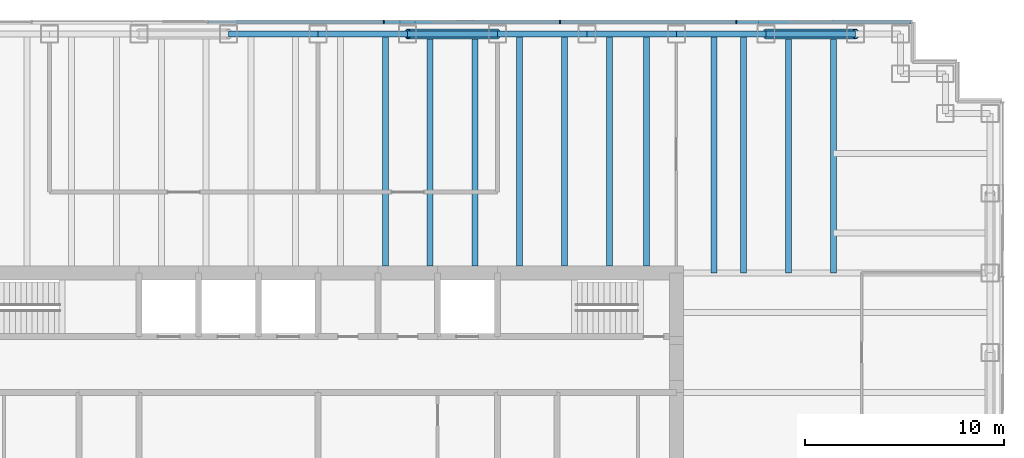
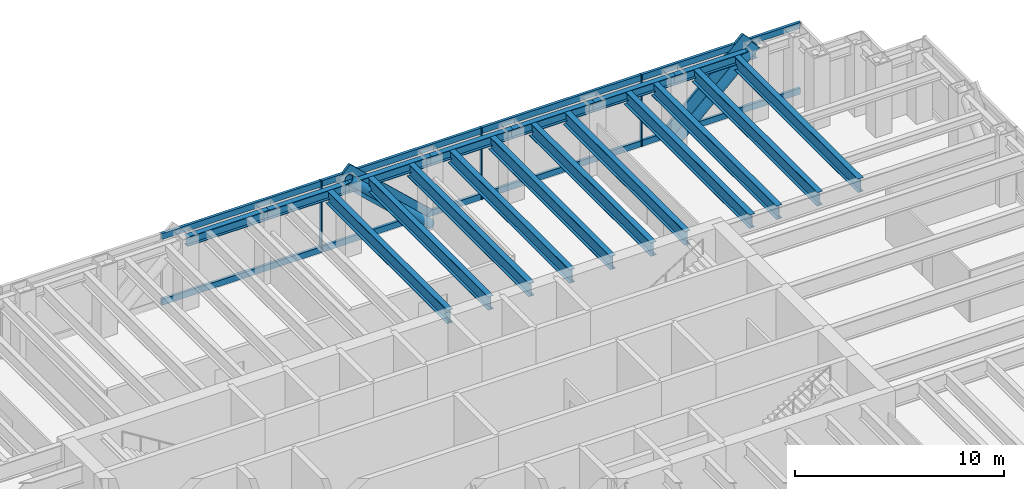
# One storey, part 7 of 15: 18 beams, 15 members, 1 element without a shape of its own.
"""IFC4 building model written with IfcOpenShell, lengths in metres."""

from ifc_helpers import new_model, si_unit, direction, frame, origin, origin_2d, place, context, subcontext, project, spatial, rectangle, hollow_circle, i_section, extrude, material, material_profile, profile_set, type_object, element, aggregate, save


model = new_model("IFC4")

# Units and contexts
model_context = context("Model", 3, precision=1e-05, world=origin(), true_north=direction((0.0, 1.0)))
body_context = subcontext(model_context, "Body", "Model", "MODEL_VIEW")
ifc_project = project(units=[si_unit("LENGTHUNIT", "METRE"), si_unit("AREAUNIT", "SQUARE_METRE"), si_unit("VOLUMEUNIT", "CUBIC_METRE"), si_unit("PLANEANGLEUNIT", "RADIAN"), si_unit("MASSUNIT", "GRAM", prefix="KILO")], contexts=[model_context])

# Site, building, storey
site_placement = place(None, origin())
site = spatial("IfcSite", under=ifc_project, at=site_placement, CompositionType="ELEMENT")
building_placement = place(site_placement, origin())
building = spatial("IfcBuilding", under=site, at=building_placement, Name="Rheinbord Bourse Tower", CompositionType="ELEMENT")
storey_placement = place(building_placement, frame((0.0, 0.0, 325.699951171875)))
storey = spatial("IfcBuildingStorey", under=building, at=storey_placement, Name="L74", CompositionType="ELEMENT", Elevation=325.699951171875)

# Curtain wall, members
ifc_material_1 = material(Name="Dark glass and black aluminium", Category="aluminium")
curtain_wall_type = type_object("IfcCurtainWallType", Name="CW3 DARK GLASS CURTAIN WALL", PredefinedType="USERDEFINED", material=ifc_material_1)
curtain_wall_placement = place(storey_placement, origin())
curtain_wall = element("IfcCurtainWall", 1, at=curtain_wall_placement, inside=storey, type_object=curtain_wall_type, Name="Curtain wall CW3 N L74", ObjectType="UNITISED CURTAIN WALL", PredefinedType="USERDEFINED")
ifc_material_2 = material(Name="Black anodised aluminium", Category="aluminium")
ifc_material_profile_1 = material_profile(ifc_material_2, rectangle(XDim=0.14990234375, YDim=1.10791015625, at=origin_2d()), Name="CW3 DIAGONAL MULLION 1108x150")
ifc_profile_set_1 = profile_set([ifc_material_profile_1], Name="Black anodised aluminium")
member_type_1 = type_object("IfcMemberType", Name="CW3 BLACK DIAGONAL MULLION", PredefinedType="USERDEFINED", material=ifc_profile_set_1)
member_1_placement = place(storey_placement, frame((45.0, 44.60009765625, 0.0), z_axis=(-0.73105922506, 0.0, 0.682314010889), x_axis=(0.0, -1.0, 0.0)))
member_1 = element("IfcMember", 2, at=member_1_placement, type_object=member_type_1, Name="CW3 diagonal mullion a", ObjectType="DIAGONAL MULLION", PredefinedType="USERDEFINED", context=body_context, shape_type="SweptSolid", body=[
    extrude(rectangle(XDim=0.14990234375, YDim=1.10791015625, at=origin_2d()), origin(), (0.0, 0.0, 1.0), 6.155517578125),
])
member_2_placement = place(storey_placement, frame((58.5, 44.60009765625, 0.0), z_axis=(0.73105922506, 0.0, 0.682314010889), x_axis=(0.0, 1.0, 0.0)))
member_2 = element("IfcMember", 3, at=member_2_placement, type_object=member_type_1, Name="CW3 diagonal mullion d", ObjectType="DIAGONAL MULLION", PredefinedType="USERDEFINED", context=body_context, shape_type="SweptSolid", body=[
    extrude(rectangle(XDim=0.14990234375, YDim=1.10791015625, at=origin_2d()), origin(), (0.0, 0.0, 1.0), 6.155517578125),
])
ifc_material_3 = material(Name="Black anodised aluminium", Category="aluminium")
ifc_material_profile_2 = material_profile(ifc_material_3, rectangle(XDim=0.199951171875, YDim=0.06494140625, at=origin_2d()), Name="CW3 MULLION 65x200")
ifc_profile_set_2 = profile_set([ifc_material_profile_2], Name="Black anodised aluminium")
member_type_2 = type_object("IfcMemberType", Name="CW3 BLACK MULLION", PredefinedType="MULLION", material=ifc_profile_set_2)
member_3_placement = place(storey_placement, frame((57.0, 44.60009765625, 0.0), z_axis=(0.0, 0.0, 1.0), x_axis=(0.0, -1.0, 0.0)))
member_3 = element("IfcMember", 4, at=member_3_placement, type_object=member_type_2, Name="CW3 mullion 2", PredefinedType="MULLION", context=body_context, shape_type="SweptSolid", body=[
    extrude(rectangle(XDim=0.199951171875, YDim=0.06494140625, at=origin_2d()), origin(), (0.0, 0.0, 1.0), 4.199951171875),
])
member_4_placement = place(storey_placement, frame((48.14990234375, 44.60009765625, 0.0), z_axis=(0.0, 0.0, 1.0), x_axis=(0.0, -1.0, 0.0)))
member_4 = element("IfcMember", 5, at=member_4_placement, type_object=member_type_2, Name="CW3 mullion 3", PredefinedType="MULLION", context=body_context, shape_type="SweptSolid", body=[
    extrude(rectangle(XDim=0.199951171875, YDim=0.06494140625, at=origin_2d()), origin(), (0.0, 0.0, 1.0), 4.199951171875),
])
member_5_placement = place(storey_placement, frame((39.300048828125, 44.60009765625, 0.0), z_axis=(0.0, 0.0, 1.0), x_axis=(0.0, -1.0, 0.0)))
member_5 = element("IfcMember", 6, at=member_5_placement, type_object=member_type_2, Name="CW3 mullion 4", PredefinedType="MULLION", context=body_context, shape_type="SweptSolid", body=[
    extrude(rectangle(XDim=0.199951171875, YDim=0.06494140625, at=origin_2d()), origin(), (0.0, 0.0, 1.0), 4.199951171875),
])
ifc_material_4 = material(Name="Black anodised aluminium", Category="aluminium")
ifc_material_profile_3 = material_profile(ifc_material_4, rectangle(XDim=0.14990234375, YDim=0.35009765625, at=origin_2d()), Name="CW3 TRANSOM 350x150")
ifc_profile_set_3 = profile_set([ifc_material_profile_3], Name="Black anodised aluminium")
member_type_3 = type_object("IfcMemberType", Name="CW3 BLACK TRANSOM", PredefinedType="USERDEFINED", material=ifc_profile_set_3)
member_6_placement = place(storey_placement, frame((65.784912109375, 44.60009765625, 0.175048828125), z_axis=(-1.0, 0.0, 0.0), x_axis=(0.0, -1.0, 0.0)))
member_6 = element("IfcMember", 7, at=member_6_placement, type_object=member_type_3, Name="CW3 transom 1.1", ObjectType="TRANSOM", PredefinedType="USERDEFINED", context=body_context, shape_type="SweptSolid", body=[
    extrude(rectangle(XDim=0.14990234375, YDim=0.35009765625, at=origin_2d()), origin(), (0.0, 0.0, 1.0), 8.75244140625),
])
member_7_placement = place(storey_placement, frame((65.784912109375, 44.60009765625, 4.025146484375), z_axis=(-1.0, 0.0, 0.0), x_axis=(0.0, -1.0, 0.0)))
member_7 = element("IfcMember", 8, at=member_7_placement, type_object=member_type_3, Name="CW3 transom 1.2", ObjectType="TRANSOM", PredefinedType="USERDEFINED", context=body_context, shape_type="SweptSolid", body=[
    extrude(rectangle(XDim=0.14990234375, YDim=0.35009765625, at=origin_2d()), origin(), (0.0, 0.0, 1.0), 8.75244140625),
])
member_8_placement = place(storey_placement, frame((56.967529296875, 44.60009765625, 0.175048828125), z_axis=(-1.0, 0.0, 0.0), x_axis=(0.0, -1.0, 0.0)))
member_8 = element("IfcMember", 9, at=member_8_placement, type_object=member_type_3, Name="CW3 transom 2.1", ObjectType="TRANSOM", PredefinedType="USERDEFINED", context=body_context, shape_type="SweptSolid", body=[
    extrude(rectangle(XDim=0.14990234375, YDim=0.35009765625, at=origin_2d()), origin(), (0.0, 0.0, 1.0), 8.784912109375),
])
member_9_placement = place(storey_placement, frame((56.967529296875, 44.60009765625, 4.025146484375), z_axis=(-1.0, 0.0, 0.0), x_axis=(0.0, -1.0, 0.0)))
member_9 = element("IfcMember", 10, at=member_9_placement, type_object=member_type_3, Name="CW3 transom 2.2", ObjectType="TRANSOM", PredefinedType="USERDEFINED", context=body_context, shape_type="SweptSolid", body=[
    extrude(rectangle(XDim=0.14990234375, YDim=0.35009765625, at=origin_2d()), origin(), (0.0, 0.0, 1.0), 8.784912109375),
])
member_10_placement = place(storey_placement, frame((48.117431640625, 44.60009765625, 0.175048828125), z_axis=(-1.0, 0.0, 0.0), x_axis=(0.0, -1.0, 0.0)))
member_10 = element("IfcMember", 11, at=member_10_placement, type_object=member_type_3, Name="CW3 transom 3.1", ObjectType="TRANSOM", PredefinedType="USERDEFINED", context=body_context, shape_type="SweptSolid", body=[
    extrude(rectangle(XDim=0.14990234375, YDim=0.35009765625, at=origin_2d()), origin(), (0.0, 0.0, 1.0), 8.784912109375),
])
member_11_placement = place(storey_placement, frame((48.117431640625, 44.60009765625, 4.025146484375), z_axis=(-1.0, 0.0, 0.0), x_axis=(0.0, -1.0, 0.0)))
member_11 = element("IfcMember", 12, at=member_11_placement, type_object=member_type_3, Name="CW3 transom 3.2", ObjectType="TRANSOM", PredefinedType="USERDEFINED", context=body_context, shape_type="SweptSolid", body=[
    extrude(rectangle(XDim=0.14990234375, YDim=0.35009765625, at=origin_2d()), origin(), (0.0, 0.0, 1.0), 8.784912109375),
])
member_12_placement = place(storey_placement, frame((39.267578125, 44.60009765625, 0.175048828125), z_axis=(-1.0, 0.0, 0.0), x_axis=(0.0, -1.0, 0.0)))
member_12 = element("IfcMember", 13, at=member_12_placement, type_object=member_type_3, Name="CW3 transom 4.1", ObjectType="TRANSOM", PredefinedType="USERDEFINED", context=body_context, shape_type="SweptSolid", body=[
    extrude(rectangle(XDim=0.14990234375, YDim=0.35009765625, at=origin_2d()), origin(), (0.0, 0.0, 1.0), 8.78515625),
])
member_13_placement = place(storey_placement, frame((39.267578125, 44.60009765625, 4.025146484375), z_axis=(-1.0, 0.0, 0.0), x_axis=(0.0, -1.0, 0.0)))
member_13 = element("IfcMember", 14, at=member_13_placement, type_object=member_type_3, Name="CW3 transom 4.2", ObjectType="TRANSOM", PredefinedType="USERDEFINED", context=body_context, shape_type="SweptSolid", body=[
    extrude(rectangle(XDim=0.14990234375, YDim=0.35009765625, at=origin_2d()), origin(), (0.0, 0.0, 1.0), 8.78515625),
])
aggregate(curtain_wall, [member_3, member_4, member_5, member_6, member_7, member_8, member_9, member_10, member_11, member_12, member_13, member_1, member_2])

# Beams
ifc_material_5 = material(Name="Steel S460", Category="steel")
ifc_material_profile_4 = material_profile(ifc_material_5, i_section(OverallWidth=0.300048828125, OverallDepth=0.800048828125, WebThickness=0.017578125, FlangeThickness=0.032958984375, at=origin_2d()), Name="HEB 800")
ifc_profile_set_4 = profile_set([ifc_material_profile_4], Name="Steel S460")
beam_type_1 = type_object("IfcBeamType", Name="FLOOR BEAM HEB 800", PredefinedType="BEAM", material=ifc_profile_set_4)
for number, where, z_axis, x_axis, name in (
    (15, (39.375, 44.0, 3.64013671875), (0.0, -1.0, 0.0), (1.0, 0.0, 0.0), "Floor beam N-36b L75"),
    (16, (41.625, 44.0, 3.64013671875), (0.0, -1.0, 0.0), (1.0, 0.0, 0.0), "Floor beam N-40.5a L75"),
    (17, (43.875, 44.0, 3.64013671875), (0.0, -1.0, 0.0), (1.0, 0.0, 0.0), "Floor beam N-40.5b L75"),
    (18, (46.125, 44.0, 3.64013671875), (0.0, -1.0, 0.0), (1.0, 0.0, 0.0), "Floor beam N-45a L75"),
    (19, (48.375, 44.0, 3.64013671875), (0.0, -1.0, 0.0), (1.0, 0.0, 0.0), "Floor beam N-45b L75"),
    (20, (50.625, 44.0, 3.64013671875), (0.0, -1.0, 0.0), (1.0, 0.0, 0.0), "Floor beam N-49.5a L75"),
    (21, (52.5, 44.0, 3.64013671875), (0.0, -1.0, 0.0), (1.0, 0.0, 0.0), "Floor beam N-49.5b L75"),
):
    element("IfcBeam", number, at=place(storey_placement, frame(where, z_axis=z_axis, x_axis=x_axis)), inside=storey, type_object=beam_type_1, Name=name, PredefinedType="BEAM", context=body_context, shape_type="SweptSolid", body=[
        extrude(i_section(OverallWidth=0.300048828125, OverallDepth=0.800048828125, WebThickness=0.017578125, FlangeThickness=0.032958984375, at=origin_2d()), origin(), (0.0, 0.0, 1.0), 11.64990234375),
    ])
for number, where, z_axis, x_axis, name in (
    (22, (55.875, 44.0, 3.64013671875), (0.0, -1.0, 0.0), (1.0, 0.0, 0.0), "Floor beam N-54a L75"),
    (23, (57.375, 44.0, 3.64013671875), (0.0, -1.0, 0.0), (1.0, 0.0, 0.0), "Floor beam N-54b L75"),
    (24, (59.625, 44.0, 3.64013671875), (0.0, -1.0, 0.0), (1.0, 0.0, 0.0), "Floor beam N-58.5a L75"),
    (25, (61.875, 44.0, 3.64013671875), (0.0, -1.0, 0.0), (1.0, 0.0, 0.0), "Floor beam N-58.5b L75"),
):
    element("IfcBeam", number, at=place(storey_placement, frame(where, z_axis=z_axis, x_axis=x_axis)), inside=storey, type_object=beam_type_1, Name=name, PredefinedType="BEAM", context=body_context, shape_type="SweptSolid", body=[
        extrude(i_section(OverallWidth=0.300048828125, OverallDepth=0.800048828125, WebThickness=0.017578125, FlangeThickness=0.032958984375, at=origin_2d()), origin(), (0.0, 0.0, 1.0), 12.0),
    ])

# Members
ifc_material_6 = material(Name="Steel S460", Category="steel")
ifc_material_profile_5 = material_profile(ifc_material_6, hollow_circle(Radius=0.25390625, WallThickness=0.030029296875, at=origin_2d()), Name="CHS 508x30")
ifc_profile_set_5 = profile_set([ifc_material_profile_5], Name="Steel S460")
member_type_4 = type_object("IfcMemberType", Name="MEGABRACE CHS 508x30", PredefinedType="BRACE", material=ifc_profile_set_5)
for number, where, z_axis, x_axis, name in (
    (26, (45.0, 44.0, 0.0), (-0.73105922506, 0.0, 0.682314010889), (0.0, -1.0, 0.0), "Megabrace N face line a L74"),
    (27, (58.5, 44.0, 0.0), (0.73105922506, 0.0, 0.682314010889), (0.0, 1.0, 0.0), "Megabrace N face line d L74"),
):
    element("IfcMember", number, at=place(storey_placement, frame(where, z_axis=z_axis, x_axis=x_axis)), inside=storey, type_object=member_type_4, Name=name, PredefinedType="BRACE", context=body_context, shape_type="SweptSolid", body=[
        extrude(hollow_circle(Radius=0.25390625, WallThickness=0.030029296875, at=origin_2d()), origin(), (0.0, 0.0, 1.0), 6.155517578125),
    ])

# Beams
ifc_material_7 = material(Name="Steel S460", Category="steel")
ifc_material_profile_6 = material_profile(ifc_material_7, i_section(OverallWidth=0.300048828125, OverallDepth=0.550048828125, WebThickness=0.014892578125, FlangeThickness=0.029052734375, at=origin_2d()), Name="HEB 550")
ifc_profile_set_6 = profile_set([ifc_material_profile_6], Name="Steel S460")
beam_type_2 = type_object("IfcBeamType", Name="SPANDREL HEB 550", PredefinedType="SPANDREL", material=ifc_profile_set_6)
for number, where, z_axis, x_axis, name in (
    (28, (63.0, 44.0, 3.76513671875), (-1.0, 0.0, 0.0), (0.0, -1.0, 0.0), "Spandrel N-63-N-58.5 under L75"),
    (29, (58.5, 44.0, 3.76513671875), (-1.0, 0.0, 0.0), (0.0, -1.0, 0.0), "Spandrel N-58.5-N-54 under L75"),
    (30, (54.0, 44.0, 3.76513671875), (-1.0, 0.0, 0.0), (0.0, -1.0, 0.0), "Spandrel N-54-N-49.5 under L75"),
    (31, (49.5, 44.0, 3.76513671875), (-1.0, 0.0, 0.0), (0.0, -1.0, 0.0), "Spandrel N-49.5-N-45 under L75"),
    (32, (45.0, 44.0, 3.76513671875), (-1.0, 0.0, 0.0), (0.0, -1.0, 0.0), "Spandrel N-45-N-40.5 under L75"),
    (33, (40.5, 44.0, 3.76513671875), (-1.0, 0.0, 0.0), (0.0, -1.0, 0.0), "Spandrel N-40.5-N-36 under L75"),
    (34, (36.0, 44.0, 3.76513671875), (-1.0, 0.0, 0.0), (0.0, -1.0, 0.0), "Spandrel N-36-N-31.5 under L75"),
):
    element("IfcBeam", number, at=place(storey_placement, frame(where, z_axis=z_axis, x_axis=x_axis)), inside=storey, type_object=beam_type_2, Name=name, PredefinedType="SPANDREL", context=body_context, shape_type="SweptSolid", body=[
        extrude(i_section(OverallWidth=0.300048828125, OverallDepth=0.550048828125, WebThickness=0.014892578125, FlangeThickness=0.029052734375, at=origin_2d()), origin(), (0.0, 0.0, 1.0), 4.5),
    ])

save(model, "model.ifc")
